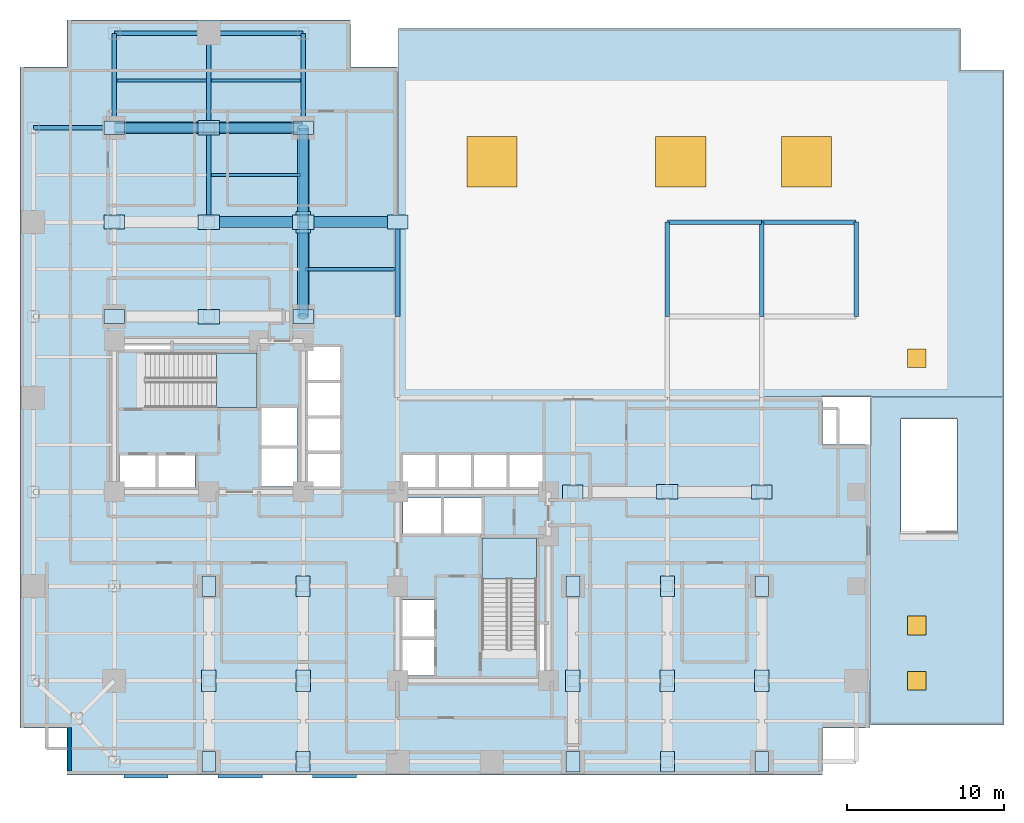
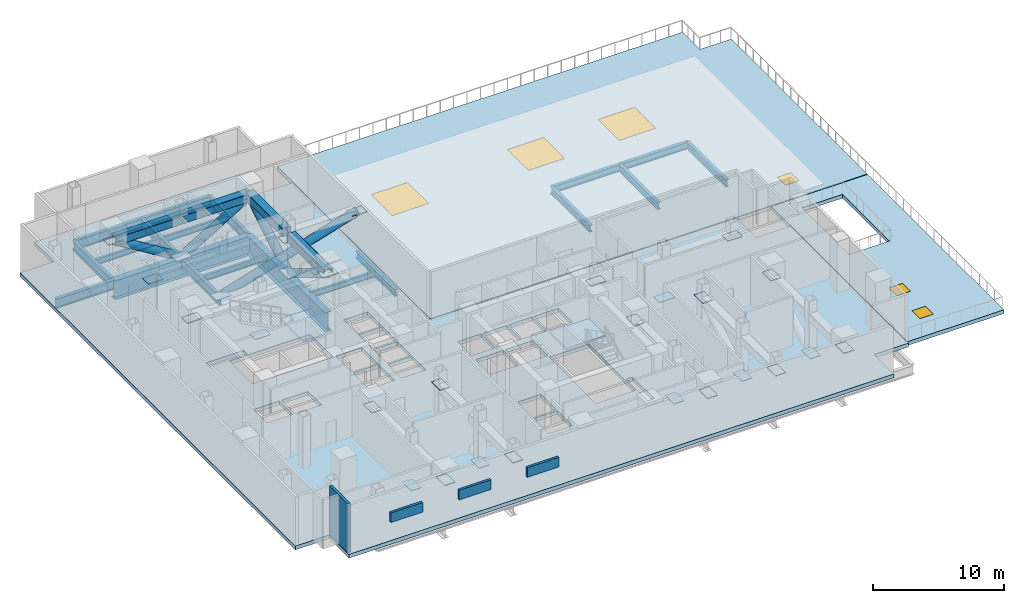
# One storey, part 3 of 8: 32 plates, 19 beams, 8 members, 6 windows, 5 slabs, 1 wall, 6 openings, 2 elements without a shape of their own.
"""IFC4 building model written with IfcOpenShell, lengths in metres."""

from ifc_helpers import new_model, si_unit, direction, frame, frame_2d, origin, origin_2d, place, context, subcontext, project, spatial, polyline, rectangle, hollow_rectangle, hollow_circle, i_section, outline, extrude, material, layer, layer_set, material_profile, profile_set, type_object, element, fill, aggregate, save


model = new_model("IFC4")

# Units and contexts
model_context = context("Model", 3, precision=1e-05, world=origin(), true_north=direction((0.0, 1.0)))
body_context = subcontext(model_context, "Body", "Model", "MODEL_VIEW")
ifc_project = project(units=[si_unit("LENGTHUNIT", "METRE"), si_unit("AREAUNIT", "SQUARE_METRE"), si_unit("VOLUMEUNIT", "CUBIC_METRE"), si_unit("PLANEANGLEUNIT", "RADIAN"), si_unit("MASSUNIT", "GRAM", prefix="KILO"), si_unit("THERMODYNAMICTEMPERATUREUNIT", "KELVIN"), si_unit("POWERUNIT", "WATT")], contexts=[model_context])

# Site, building, storey
site_placement = place(None, origin())
site = spatial("IfcSite", under=ifc_project, at=site_placement, CompositionType="ELEMENT")
building_placement = place(site_placement, origin())
building = spatial("IfcBuilding", under=site, at=building_placement, Name="Svarakhadi Broadcast Tower", CompositionType="ELEMENT")
storey_placement = place(building_placement, frame((0.0, 0.0, 27.60009765625)))
storey = spatial("IfcBuildingStorey", under=building, at=storey_placement, Name="L05", CompositionType="ELEMENT", Elevation=27.60009765625)

# Beams
ifc_material_1 = material(Name="Steel S355J2 (IS 2062 E350C)", Category="steel")
ifc_material_profile_1 = material_profile(ifc_material_1, i_section(OverallWidth=0.2099609375, OverallDepth=0.550048828125, WebThickness=0.010986328125, FlangeThickness=0.01708984375, FilletRadius=0.02392578125, at=origin_2d()), Name="NPB 550x210x106")
ifc_profile_set_1 = profile_set([ifc_material_profile_1], Name="Steel S355J2 (IS 2062 E350C)")
beam_type_1 = type_object("IfcBeamType", Name="Beam_NPB550", PredefinedType="BEAM", material=ifc_profile_set_1)
for number, where, z_axis, x_axis, name in (
    (1, (6.159912109375, 44.14990234375, -0.625), (1.0, 0.0, 0.0), (0.0, 1.0, 0.0), "L05 Secondary Composite Beam SB012"),
    (2, (12.159912109375, 38.14990234375, -0.625), (1.0, 0.0, 0.0), (0.0, 1.0, 0.0), "L05 Secondary Composite Beam SB017"),
    (3, (12.159912109375, 44.14990234375, -0.625), (1.0, 0.0, 0.0), (0.0, 1.0, 0.0), "L05 Secondary Composite Beam SB018"),
    (4, (18.159912109375, 32.14990234375, -0.625), (1.0, 0.0, 0.0), (0.0, 1.0, 0.0), "L05 Secondary Composite Beam SB022"),
):
    element("IfcBeam", number, at=place(storey_placement, frame(where, z_axis=z_axis, x_axis=x_axis)), inside=storey, type_object=beam_type_1, Name=name, PredefinedType="BEAM", context=body_context, shape_type="SweptSolid", body=[
        extrude(i_section(OverallWidth=0.2099609375, OverallDepth=0.550048828125, WebThickness=0.010986328125, FlangeThickness=0.01708984375, FilletRadius=0.02392578125, at=origin_2d()), origin(), (0.0, 0.0, 1.0), 5.68017578125),
    ])
ifc_material_profile_2 = material_profile(ifc_material_1, i_section(OverallWidth=0.300048828125, OverallDepth=0.64990234375, WebThickness=0.01611328125, FlangeThickness=0.031005859375, FilletRadius=0.027099609375, at=origin_2d()), Name="WPB 650x300x225")
ifc_profile_set_2 = profile_set([ifc_material_profile_2], Name="Steel S355J2 (IS 2062 E350C)")
beam_type_2 = type_object("IfcBeamType", Name="Girder_WPB650", PredefinedType="USERDEFINED", material=ifc_profile_set_2)
for number, where, z_axis, x_axis, name in (
    (5, (41.14990234375, 35.14990234375, -0.675048828125), (1.0, 0.0, 0.0), (0.0, 1.0, 0.0), "L05 Podium Terrace Girder PTG007"),
    (6, (47.14990234375, 35.14990234375, -0.675048828125), (1.0, 0.0, 0.0), (0.0, 1.0, 0.0), "L05 Podium Terrace Girder PTG008"),
    (7, (24.0, 29.14990234375, -0.675048828125), (0.0, 1.0, 0.0), (-1.0, 0.0, 0.0), "L05 Podium Terrace Girder PTG010"),
    (8, (41.14990234375, 29.14990234375, -0.675048828125), (0.0, 1.0, 0.0), (-1.0, 0.0, 0.0), "L05 Podium Terrace Girder PTG012"),
    (9, (47.14990234375, 29.14990234375, -0.675048828125), (0.0, 1.0, 0.0), (-1.0, 0.0, 0.0), "L05 Podium Terrace Girder PTG014"),
    (10, (53.14990234375, 29.14990234375, -0.675048828125), (0.0, 1.0, 0.0), (-1.0, 0.0, 0.0), "L05 Podium Terrace Girder PTG015"),
):
    element("IfcBeam", number, at=place(storey_placement, frame(where, z_axis=z_axis, x_axis=x_axis)), inside=storey, type_object=beam_type_2, Name=name, ObjectType="GIRDER", PredefinedType="USERDEFINED", context=body_context, shape_type="SweptSolid", body=[
        extrude(i_section(OverallWidth=0.300048828125, OverallDepth=0.64990234375, WebThickness=0.01611328125, FlangeThickness=0.031005859375, FilletRadius=0.027099609375, at=origin_2d()), origin(), (0.0, 0.0, 1.0), 6.0),
    ])
ifc_material_2 = material(Name="Steel S460ML (IS 2062 E450BR)", Category="steel")
ifc_material_profile_3 = material_profile(ifc_material_2, i_section(OverallWidth=0.300048828125, OverallDepth=0.89990234375, WebThickness=0.0185546875, FlangeThickness=0.034912109375, FilletRadius=0.030029296875, at=origin_2d()), Name="WPB 900x300x291")
ifc_profile_set_3 = profile_set([ifc_material_profile_3], Name="Steel S460ML (IS 2062 E450BR)")
beam_type_3 = type_object("IfcBeamType", Name="Girder_WPB900", PredefinedType="USERDEFINED", material=ifc_profile_set_3)
beam_placement = place(storey_placement, frame((0.85009765625, 41.14990234375, -0.800048828125), z_axis=(1.0, 0.0, 0.0), x_axis=(0.0, 1.0, 0.0)))
element("IfcBeam", 11, at=beam_placement, inside=storey, type_object=beam_type_3, Name="L05 Primary E-W Girder G043", ObjectType="GIRDER", PredefinedType="USERDEFINED", context=body_context, shape_type="SweptSolid", body=[
    extrude(i_section(OverallWidth=0.300048828125, OverallDepth=0.89990234375, WebThickness=0.0185546875, FlangeThickness=0.034912109375, FilletRadius=0.030029296875, at=origin_2d()), origin(), (0.0, 0.0, 1.0), 5.14990234375),
])
for number, where, z_axis, x_axis, name in (
    (12, (6.0, 47.14990234375, -0.800048828125), (1.0, 0.0, 0.0), (0.0, 1.0, 0.0), "L05 Primary E-W Girder G046"),
    (13, (12.0, 47.14990234375, -0.800048828125), (1.0, 0.0, 0.0), (0.0, 1.0, 0.0), "L05 Primary E-W Girder G047"),
    (14, (6.0, 41.14990234375, -0.800048828125), (0.0, 1.0, 0.0), (-1.0, 0.0, 0.0), "L05 Primary N-S Girder G060"),
    (15, (12.0, 35.14990234375, -0.800048828125), (0.0, 1.0, 0.0), (-1.0, 0.0, 0.0), "L05 Primary N-S Girder G065"),
    (16, (12.0, 41.14990234375, -0.800048828125), (0.0, 1.0, 0.0), (-1.0, 0.0, 0.0), "L05 Primary N-S Girder G066"),
    (17, (18.0, 41.14990234375, -0.800048828125), (0.0, 1.0, 0.0), (-1.0, 0.0, 0.0), "L05 Primary N-S Girder G073"),
):
    element("IfcBeam", number, at=place(storey_placement, frame(where, z_axis=z_axis, x_axis=x_axis)), inside=storey, type_object=beam_type_3, Name=name, ObjectType="GIRDER", PredefinedType="USERDEFINED", context=body_context, shape_type="SweptSolid", body=[
        extrude(i_section(OverallWidth=0.300048828125, OverallDepth=0.89990234375, WebThickness=0.0185546875, FlangeThickness=0.034912109375, FilletRadius=0.030029296875, at=origin_2d()), origin(), (0.0, 0.0, 1.0), 6.0),
    ])

# Members
ifc_material_profile_4 = material_profile(ifc_material_2, hollow_circle(Radius=0.35546875, WallThickness=0.034912109375, at=origin_2d()), Name="CHS 711x35")
ifc_profile_set_4 = profile_set([ifc_material_profile_4], Name="Steel S460ML (IS 2062 E450BR)")
member_type_1 = type_object("IfcMemberType", Name="Outrigger_Brace_OT01", PredefinedType="BRACE", material=ifc_profile_set_4)
member_1_placement = place(storey_placement, frame((24.0, 35.14990234375, 3.2998046875), z_axis=(-0.956724312402, 0.0, -0.29099585918), x_axis=(0.0, -1.0, 0.0)))
element("IfcMember", 18, at=member_1_placement, inside=storey, type_object=member_type_1, Name="L05 Podium Transfer Truss Diagonal TD-03B", PredefinedType="BRACE", context=body_context, shape_type="SweptSolid", body=[
    extrude(hollow_circle(Radius=0.35546875, WallThickness=0.034912109375, at=origin_2d()), origin(), (0.0, 0.0, 1.0), 12.542724609375),
])
for number, where, z_axis, x_axis, name in (
    (19, (6.0, 41.14990234375, 3.2998046875), (0.854342179237, 0.0, -0.519710920394), (0.0, 1.0, 0.0), "L05 Podium Transfer Truss Diagonal TD-04A"),
    (20, (18.0, 41.14990234375, 3.2998046875), (-0.854342179237, 0.0, -0.519710920394), (0.0, -1.0, 0.0), "L05 Podium Transfer Truss Diagonal TD-04B"),
    (21, (18.0, 29.14990234375, 3.2998046875), (0.0, 0.854342179237, -0.519710920394), (-1.0, 0.0, 0.0), "L05 Podium Transfer Truss Diagonal TD-06A"),
    (22, (18.0, 41.14990234375, 3.2998046875), (0.0, -0.854342179237, -0.519710920394), (1.0, 0.0, 0.0), "L05 Podium Transfer Truss Diagonal TD-06B"),
):
    element("IfcMember", number, at=place(storey_placement, frame(where, z_axis=z_axis, x_axis=x_axis)), inside=storey, type_object=member_type_1, Name=name, PredefinedType="BRACE", context=body_context, shape_type="SweptSolid", body=[
        extrude(hollow_circle(Radius=0.35546875, WallThickness=0.034912109375, at=origin_2d()), origin(), (0.0, 0.0, 1.0), 7.02294921875),
    ])

# Beams
ifc_material_profile_5 = material_profile(ifc_material_2, i_section(OverallWidth=0.550048828125, OverallDepth=1.800048828125, WebThickness=0.028076171875, FlangeThickness=0.044921875, at=origin_2d()), Name="PG 1800x550x45")
ifc_profile_set_5 = profile_set([ifc_material_profile_5], Name="Steel S460ML (IS 2062 E450BR)")
beam_type_4 = type_object("IfcBeamType", Name="Transfer_Girder_TG01", PredefinedType="USERDEFINED", material=ifc_profile_set_5)
for number, where, z_axis, x_axis, name in (
    (23, (6.0, 41.14990234375, -1.25), (1.0, 0.0, 0.0), (0.0, 1.0, 0.0), "L05 Studio Transfer Girder TG-01-04"),
    (24, (18.0, 29.14990234375, -1.25), (0.0, 1.0, 0.0), (-1.0, 0.0, 0.0), "L05 Studio Transfer Girder TG-01-06"),
):
    element("IfcBeam", number, at=place(storey_placement, frame(where, z_axis=z_axis, x_axis=x_axis)), inside=storey, type_object=beam_type_4, Name=name, ObjectType="GIRDER", PredefinedType="USERDEFINED", context=body_context, shape_type="SweptSolid", body=[
        extrude(i_section(OverallWidth=0.550048828125, OverallDepth=1.800048828125, WebThickness=0.028076171875, FlangeThickness=0.044921875, at=origin_2d()), origin(), (0.0, 0.0, 1.0), 12.0),
    ])

# Members
ifc_material_profile_6 = material_profile(ifc_material_2, hollow_rectangle(XDim=0.75, YDim=0.75, WallThickness=0.034912109375, InnerFilletRadius=0.034912109375, OuterFilletRadius=0.050048828125, at=origin_2d()), Name="BOX 750x750x35")
ifc_profile_set_6 = profile_set([ifc_material_profile_6], Name="Steel S460ML (IS 2062 E450BR)")
member_type_2 = type_object("IfcMemberType", Name="Transfer_Truss_Chord", PredefinedType="CHORD", material=ifc_profile_set_6)
member_2_placement = place(storey_placement, frame((6.0, 41.14990234375, 3.2998046875), z_axis=(1.0, 0.0, 0.0), x_axis=(0.0, 1.0, 0.0)))
element("IfcMember", 25, at=member_2_placement, inside=storey, type_object=member_type_2, Name="L05 Podium Transfer Truss Top Chord TC-04", PredefinedType="CHORD", context=body_context, shape_type="SweptSolid", body=[
    extrude(hollow_rectangle(XDim=0.75, YDim=0.75, WallThickness=0.034912109375, InnerFilletRadius=0.034912109375, OuterFilletRadius=0.050048828125, at=origin_2d()), origin(), (0.0, 0.0, 1.0), 12.0),
])
for number, where, z_axis, x_axis, name in (
    (26, (18.0, 29.14990234375, 3.2998046875), (0.0, 1.0, 0.0), (-1.0, 0.0, 0.0), "L05 Podium Transfer Truss Top Chord TC-06A"),
    (27, (18.0, 35.52490234375, 3.2998046875), (0.0, 1.0, 0.0), (-1.0, 0.0, 0.0), "L05 Podium Transfer Truss Top Chord TC-06B"),
):
    element("IfcMember", number, at=place(storey_placement, frame(where, z_axis=z_axis, x_axis=x_axis)), inside=storey, type_object=member_type_2, Name=name, PredefinedType="CHORD", context=body_context, shape_type="SweptSolid", body=[
        extrude(hollow_rectangle(XDim=0.75, YDim=0.75, WallThickness=0.034912109375, InnerFilletRadius=0.034912109375, OuterFilletRadius=0.050048828125, at=origin_2d()), origin(), (0.0, 0.0, 1.0), 5.625),
    ])

# Plates
ifc_material_3 = material(Name="Anodised Bronze Aluminium AA 6063-T6", Category="aluminium")
ifc_layer_1 = layer(ifc_material_3, 0.89990234375)
ifc_layer_set_1 = layer_set([ifc_layer_1], Name="Anodised Bronze Aluminium AA 6063-T6")
plate_type_1 = type_object("IfcPlateType", Name="Louvre_Bronze_LV01", PredefinedType="USERDEFINED", material=ifc_layer_set_1)
for number, where, z_axis, x_axis, name in (
    (28, (8.0, -0.080078125, 1.824951171875), (0.0, 0.0, 1.0), (1.0, 0.0, 0.0), "L05 Acoustic Monsoon Intake Louvre LV-01-1"),
    (29, (14.0, -0.080078125, 1.824951171875), (0.0, 0.0, 1.0), (1.0, 0.0, 0.0), "L05 Acoustic Monsoon Intake Louvre LV-01-2"),
    (30, (20.0, -0.080078125, 1.824951171875), (0.0, 0.0, 1.0), (1.0, 0.0, 0.0), "L05 Acoustic Monsoon Intake Louvre LV-01-3"),
):
    element("IfcPlate", number, at=place(storey_placement, frame(where, z_axis=z_axis, x_axis=x_axis)), inside=storey, type_object=plate_type_1, Name=name, ObjectType="LOUVRE", PredefinedType="USERDEFINED", context=body_context, shape_type="SweptSolid", body=[
        extrude(rectangle(XDim=2.800048828125, YDim=0.219970703125, at=origin_2d()), origin(), (0.0, 0.0, 1.0), 0.89990234375),
    ])
ifc_layer_2 = layer(ifc_material_2, 0.0419921875)
ifc_layer_set_2 = layer_set([ifc_layer_2], Name="Steel S460ML (IS 2062 E450BR)")
plate_type_2 = type_object("IfcPlateType", Name="Outrigger_Node_ON01", PredefinedType="SHEET", material=ifc_layer_set_2)
for number, where, z_axis, x_axis, name in (
    (31, (12.0, 0.85009765625, 3.27880859375), (0.0, 0.0, 1.0), (0.0, 1.0, 0.0), "L05 Brace End Connection Gusset Plate ON-01-E0001"),
    (32, (12.0, 12.0, 3.27880859375), (0.0, 0.0, 1.0), (0.0, 1.0, 0.0), "L05 Brace End Connection Gusset Plate ON-01-E0002"),
    (33, (6.0, 29.14990234375, 3.27880859375), (0.0, 0.0, 1.0), (1.0, 0.0, 0.0), "L05 Brace End Connection Gusset Plate ON-01-E0003"),
    (34, (18.0, 29.14990234375, 3.27880859375), (0.0, 0.0, 1.0), (1.0, 0.0, 0.0), "L05 Brace End Connection Gusset Plate ON-01-E0004"),
    (35, (6.0, 35.14990234375, 3.27880859375), (0.0, 0.0, 1.0), (1.0, 0.0, 0.0), "L05 Brace End Connection Gusset Plate ON-01-E0005"),
    (36, (24.0, 35.14990234375, 3.27880859375), (0.0, 0.0, 1.0), (1.0, 0.0, 0.0), "L05 Brace End Connection Gusset Plate ON-01-E0006"),
    (37, (6.0, 41.14990234375, 3.27880859375), (0.0, 0.0, 1.0), (1.0, 0.0, 0.0), "L05 Brace End Connection Gusset Plate ON-01-E0007"),
    (38, (18.0, 41.14990234375, 3.27880859375), (0.0, 0.0, 1.0), (1.0, 0.0, 0.0), "L05 Brace End Connection Gusset Plate ON-01-E0008"),
    (39, (18.0, 0.85009765625, 3.27880859375), (0.0, 0.0, 1.0), (0.0, 1.0, 0.0), "L05 Brace End Connection Gusset Plate ON-01-E0009"),
    (40, (18.0, 12.0, 3.27880859375), (0.0, 0.0, 1.0), (0.0, 1.0, 0.0), "L05 Brace End Connection Gusset Plate ON-01-E0010"),
    (41, (35.14990234375, 0.85009765625, 3.27880859375), (0.0, 0.0, 1.0), (0.0, 1.0, 0.0), "L05 Brace End Connection Gusset Plate ON-01-E0011"),
    (42, (35.14990234375, 12.0, 3.27880859375), (0.0, 0.0, 1.0), (0.0, 1.0, 0.0), "L05 Brace End Connection Gusset Plate ON-01-E0012"),
    (43, (41.14990234375, 0.85009765625, 3.27880859375), (0.0, 0.0, 1.0), (0.0, 1.0, 0.0), "L05 Brace End Connection Gusset Plate ON-01-E0013"),
    (44, (41.14990234375, 12.0, 3.27880859375), (0.0, 0.0, 1.0), (0.0, 1.0, 0.0), "L05 Brace End Connection Gusset Plate ON-01-E0014"),
    (45, (35.14990234375, 18.0, 3.27880859375), (0.0, 0.0, 1.0), (1.0, 0.0, 0.0), "L05 Brace End Connection Gusset Plate ON-01-E0015"),
    (46, (47.14990234375, 18.0, 3.27880859375), (0.0, 0.0, 1.0), (1.0, 0.0, 0.0), "L05 Brace End Connection Gusset Plate ON-01-E0016"),
    (47, (47.14990234375, 0.85009765625, 3.27880859375), (0.0, 0.0, 1.0), (0.0, 1.0, 0.0), "L05 Brace End Connection Gusset Plate ON-01-E0017"),
    (48, (47.14990234375, 12.0, 3.27880859375), (0.0, 0.0, 1.0), (0.0, 1.0, 0.0), "L05 Brace End Connection Gusset Plate ON-01-E0018"),
):
    element("IfcPlate", number, at=place(storey_placement, frame(where, z_axis=z_axis, x_axis=x_axis)), inside=storey, type_object=plate_type_2, Name=name, PredefinedType="SHEET", context=body_context, shape_type="SweptSolid", body=[
        extrude(rectangle(XDim=1.300048828125, YDim=0.8798828125, at=origin_2d()), origin(), (0.0, 0.0, 1.0), 0.0419921875),
    ])

# Slab
ifc_material_4 = material(Name="Concrete C45/55 (IS 456 M55 Marine)", Category="concrete")
ifc_layer_3 = layer(ifc_material_4, 0.35009765625)
ifc_layer_set_3 = layer_set([ifc_layer_3], Name="Concrete C45/55 (IS 456 M55 Marine)")
slab_type_1 = type_object("IfcSlabType", Name="Slab_Floor_350", PredefinedType="FLOOR", material=ifc_layer_set_3)
slab_1_placement = place(storey_placement, frame((0.0, 0.0, -0.35009765625)))
element("IfcSlab", 49, at=slab_1_placement, inside=storey, type_object=slab_type_1, Name="L05 Structural Floor Slab", PredefinedType="FLOOR", context=body_context, shape_type="SweptSolid", body=[
    extrude(outline(polyline([(3.0, 0.0), (51.0, 0.0), (51.0, 3.0), (54.0, 3.0), (54.0, 21.0), (51.0, 21.0), (51.0, 24.0), (24.0, 24.0), (24.0, 45.0), (21.0, 45.0), (21.0, 48.0), (3.0, 48.0), (3.0, 45.0), (0.0, 45.0), (0.0, 3.0), (3.0, 3.0), (3.0, 0.0)]), holes=[polyline([(7.97998046875, 23.360107421875), (15.080078125, 23.360107421875), (15.080078125, 26.840087890625), (7.97998046875, 26.840087890625), (7.97998046875, 23.360107421875)]), polyline([(32.840087890625, 7.97998046875), (32.840087890625, 15.080078125), (29.360107421875, 15.080078125), (29.360107421875, 7.97998046875), (32.840087890625, 7.97998046875)]), polyline([(6.340087890625, 18.2900390625), (8.610107421875, 18.2900390625), (8.610107421875, 20.330078125), (6.340087890625, 20.330078125), (6.340087890625, 18.2900390625)]), polyline([(8.7900390625, 18.2900390625), (11.1298828125, 18.2900390625), (11.1298828125, 20.330078125), (8.7900390625, 20.330078125), (8.7900390625, 18.2900390625)]), polyline([(24.2900390625, 6.340087890625), (26.330078125, 6.340087890625), (26.330078125, 8.610107421875), (24.2900390625, 8.610107421875), (24.2900390625, 6.340087890625)]), polyline([(24.2900390625, 8.7900390625), (26.330078125, 8.7900390625), (26.330078125, 11.1298828125), (24.2900390625, 11.1298828125), (24.2900390625, 8.7900390625)]), polyline([(6.340087890625, 26.989990234375), (9.610107421875, 26.989990234375), (9.610107421875, 27.530029296875), (6.340087890625, 27.530029296875), (6.340087890625, 26.989990234375)]), polyline([(32.989990234375, 6.340087890625), (33.530029296875, 6.340087890625), (33.530029296875, 9.610107421875), (32.989990234375, 9.610107421875), (32.989990234375, 6.340087890625)]), polyline([(15.340087890625, 18.340087890625), (17.610107421875, 18.340087890625), (17.610107421875, 20.760009765625), (15.340087890625, 20.760009765625), (15.340087890625, 18.340087890625)]), polyline([(15.340087890625, 20.93994140625), (17.610107421875, 20.93994140625), (17.610107421875, 23.360107421875), (15.340087890625, 23.360107421875), (15.340087890625, 20.93994140625)]), polyline([(24.340087890625, 15.340087890625), (26.760009765625, 15.340087890625), (26.760009765625, 17.610107421875), (24.340087890625, 17.610107421875), (24.340087890625, 15.340087890625)]), polyline([(26.93994140625, 15.340087890625), (29.360107421875, 15.340087890625), (29.360107421875, 17.610107421875), (26.93994140625, 17.610107421875), (26.93994140625, 15.340087890625)]), polyline([(18.239990234375, 18.340087890625), (20.360107421875, 18.340087890625), (20.360107421875, 20.429931640625), (18.239990234375, 20.429931640625), (18.239990234375, 18.340087890625)]), polyline([(18.239990234375, 20.610107421875), (20.360107421875, 20.610107421875), (20.360107421875, 22.679931640625), (18.239990234375, 22.679931640625), (18.239990234375, 20.610107421875)]), polyline([(18.239990234375, 22.860107421875), (20.360107421875, 22.860107421875), (20.360107421875, 24.929931640625), (18.239990234375, 24.929931640625), (18.239990234375, 22.860107421875)]), polyline([(18.239990234375, 25.110107421875), (20.360107421875, 25.110107421875), (20.360107421875, 27.2099609375), (18.239990234375, 27.2099609375), (18.239990234375, 25.110107421875)]), polyline([(24.340087890625, 18.239990234375), (26.429931640625, 18.239990234375), (26.429931640625, 20.360107421875), (24.340087890625, 20.360107421875), (24.340087890625, 18.239990234375)]), polyline([(26.610107421875, 18.239990234375), (28.679931640625, 18.239990234375), (28.679931640625, 20.360107421875), (26.610107421875, 20.360107421875), (26.610107421875, 18.239990234375)]), polyline([(28.860107421875, 18.239990234375), (30.929931640625, 18.239990234375), (30.929931640625, 20.360107421875), (28.860107421875, 20.360107421875), (28.860107421875, 18.239990234375)]), polyline([(31.110107421875, 18.239990234375), (33.2099609375, 18.239990234375), (33.2099609375, 20.360107421875), (31.110107421875, 20.360107421875), (31.110107421875, 18.239990234375)])]), origin(), (0.0, 0.0, 1.0), 0.35009765625),
])

# Slab, openings, windows
ifc_material_5 = material(Name="Concrete C40/50 (IS 456 M50)", Category="concrete")
ifc_layer_4 = layer(ifc_material_5, 0.35009765625)
ifc_layer_set_4 = layer_set([ifc_layer_4], Name="Concrete C40/50 (IS 456 M50)")
slab_type_2 = type_object("IfcSlabType", Name="Slab_PodiumTerr", PredefinedType="ROOF", material=ifc_layer_set_4)
slab_2_placement = place(storey_placement, frame((0.0, 0.0, -0.35009765625)))
slab_2 = element("IfcSlab", 50, at=slab_2_placement, inside=storey, type_object=slab_type_2, Name="L05 Waterfront Podium Roof Terrace Slab NE", PredefinedType="ROOF", context=body_context, shape_type="SweptSolid", body=[
    extrude(outline(polyline([(24.050048828125, 24.050048828125), (62.550048828125, 24.050048828125), (62.550048828125, 44.800048828125), (59.800048828125, 44.800048828125), (59.800048828125, 47.449951171875), (24.050048828125, 47.449951171875), (24.050048828125, 24.050048828125)])), origin(), (0.0, 0.0, 1.0), 0.35009765625),
])
opening_1_placement = place(slab_2_placement, frame((30.0, 39.0, -0.010009765625)))
opening_1 = element("IfcOpeningElement", 51, at=opening_1_placement, cuts=slab_2, Name="Opening SK-01", PredefinedType="OPENING", context=body_context, shape_type="SweptSolid", body=[
    extrude(rectangle(XDim=3.199951171875, YDim=3.199951171875, at=origin_2d()), origin(), (0.0, 0.0, 1.0), 0.3701171875),
])
opening_2_placement = place(slab_2_placement, frame((42.0, 39.0, -0.010009765625)))
opening_2 = element("IfcOpeningElement", 52, at=opening_2_placement, cuts=slab_2, Name="Opening SK-01", PredefinedType="OPENING", context=body_context, shape_type="SweptSolid", body=[
    extrude(rectangle(XDim=3.199951171875, YDim=3.199951171875, at=origin_2d()), origin(), (0.0, 0.0, 1.0), 0.3701171875),
])
opening_3_placement = place(slab_2_placement, frame((50.0, 39.0, -0.010009765625)))
opening_3 = element("IfcOpeningElement", 53, at=opening_3_placement, cuts=slab_2, Name="Opening SK-01", PredefinedType="OPENING", context=body_context, shape_type="SweptSolid", body=[
    extrude(rectangle(XDim=3.199951171875, YDim=3.199951171875, at=origin_2d()), origin(), (0.0, 0.0, 1.0), 0.3701171875),
])
opening_4_placement = place(slab_2_placement, frame((57.0, 26.5, -0.010009765625)))
opening_4 = element("IfcOpeningElement", 54, at=opening_4_placement, cuts=slab_2, Name="Opening HT-01", PredefinedType="OPENING", context=body_context, shape_type="SweptSolid", body=[
    extrude(rectangle(XDim=1.199951171875, YDim=1.199951171875, at=origin_2d()), origin(), (0.0, 0.0, 1.0), 0.3701171875),
])
ifc_material_6 = material(Name="Double Low-E Laminated Acoustic Glass IGU 36 mm", Category="glass")
window_type_1 = type_object("IfcWindowType", Name="Hatch_Roof_HT01", PartitioningType="SINGLE_PANEL", PredefinedType="SKYLIGHT", material=ifc_material_6)
window_1_placement = place(slab_2_placement, frame((57.0, 26.5, 0.300048828125)))
window_1 = element("IfcWindow", 55, at=window_1_placement, inside=storey, type_object=window_type_1, Name="L05 Podium Roof Maintenance Access Hatch HT-01-03", OverallHeight=1.199951171875, OverallWidth=1.199951171875, PartitioningType="SINGLE_PANEL", PredefinedType="SKYLIGHT", context=body_context, shape_type="SweptSolid", body=[
    extrude(rectangle(XDim=1.199951171875, YDim=1.199951171875, at=origin_2d()), origin(), (0.0, 0.0, 1.0), 0.050048828125),
])
fill(opening_4, window_1)
window_type_2 = type_object("IfcWindowType", Name="Sky_Pod_SK01", PartitioningType="SINGLE_PANEL", PredefinedType="SKYLIGHT", material=ifc_material_6)
window_2_placement = place(slab_2_placement, frame((30.0, 39.0, 0.300048828125)))
window_2 = element("IfcWindow", 56, at=window_2_placement, inside=storey, type_object=window_type_2, Name="L05 Broadcast Concourse Roof Skylight SK-01-1", OverallHeight=3.199951171875, OverallWidth=3.199951171875, PartitioningType="SINGLE_PANEL", PredefinedType="SKYLIGHT", context=body_context, shape_type="SweptSolid", body=[
    extrude(rectangle(XDim=3.199951171875, YDim=3.199951171875, at=origin_2d()), origin(), (0.0, 0.0, 1.0), 0.050048828125),
])
fill(opening_1, window_2)
window_3_placement = place(slab_2_placement, frame((42.0, 39.0, 0.300048828125)))
window_3 = element("IfcWindow", 57, at=window_3_placement, inside=storey, type_object=window_type_2, Name="L05 Broadcast Concourse Roof Skylight SK-01-2", OverallHeight=3.199951171875, OverallWidth=3.199951171875, PartitioningType="SINGLE_PANEL", PredefinedType="SKYLIGHT", context=body_context, shape_type="SweptSolid", body=[
    extrude(rectangle(XDim=3.199951171875, YDim=3.199951171875, at=origin_2d()), origin(), (0.0, 0.0, 1.0), 0.050048828125),
])
fill(opening_2, window_3)
window_4_placement = place(slab_2_placement, frame((50.0, 39.0, 0.300048828125)))
window_4 = element("IfcWindow", 58, at=window_4_placement, inside=storey, type_object=window_type_2, Name="L05 Broadcast Concourse Roof Skylight SK-01-3", OverallHeight=3.199951171875, OverallWidth=3.199951171875, PartitioningType="SINGLE_PANEL", PredefinedType="SKYLIGHT", context=body_context, shape_type="SweptSolid", body=[
    extrude(rectangle(XDim=3.199951171875, YDim=3.199951171875, at=origin_2d()), origin(), (0.0, 0.0, 1.0), 0.050048828125),
])
fill(opening_3, window_4)

slab_3_placement = place(storey_placement, frame((0.0, 0.0, -0.35009765625)))
slab_3 = element("IfcSlab", 59, at=slab_3_placement, inside=storey, type_object=slab_type_2, Name="L05 Waterfront Podium Roof Terrace Slab SE", PredefinedType="ROOF", context=body_context, shape_type="SweptSolid", body=[
    extrude(outline(polyline([(54.050048828125, 3.199951171875), (62.550048828125, 3.199951171875), (62.550048828125, 24.0), (54.050048828125, 24.0), (54.050048828125, 3.199951171875)]), holes=[polyline([(59.56005859375, 15.5), (59.56005859375, 22.64990234375), (56.0, 22.64990234375), (56.0, 15.5), (59.56005859375, 15.5)])]), origin(), (0.0, 0.0, 1.0), 0.35009765625),
])
opening_5_placement = place(slab_3_placement, frame((57.0, 6.0, -0.010009765625)))
opening_5 = element("IfcOpeningElement", 60, at=opening_5_placement, cuts=slab_3, Name="Opening HT-01", PredefinedType="OPENING", context=body_context, shape_type="SweptSolid", body=[
    extrude(rectangle(XDim=1.199951171875, YDim=1.199951171875, at=origin_2d()), origin(), (0.0, 0.0, 1.0), 0.3701171875),
])
opening_6_placement = place(slab_3_placement, frame((57.0, 9.5, -0.010009765625)))
opening_6 = element("IfcOpeningElement", 61, at=opening_6_placement, cuts=slab_3, Name="Opening HT-01", PredefinedType="OPENING", context=body_context, shape_type="SweptSolid", body=[
    extrude(rectangle(XDim=1.199951171875, YDim=1.199951171875, at=origin_2d()), origin(), (0.0, 0.0, 1.0), 0.3701171875),
])
window_5_placement = place(slab_3_placement, frame((57.0, 6.0, 0.300048828125)))
window_5 = element("IfcWindow", 62, at=window_5_placement, inside=storey, type_object=window_type_1, Name="L05 Podium Roof Maintenance Access Hatch HT-01-01", OverallHeight=1.199951171875, OverallWidth=1.199951171875, PartitioningType="SINGLE_PANEL", PredefinedType="SKYLIGHT", context=body_context, shape_type="SweptSolid", body=[
    extrude(rectangle(XDim=1.199951171875, YDim=1.199951171875, at=origin_2d()), origin(), (0.0, 0.0, 1.0), 0.050048828125),
])
fill(opening_5, window_5)
window_6_placement = place(slab_3_placement, frame((57.0, 9.5, 0.300048828125)))
window_6 = element("IfcWindow", 63, at=window_6_placement, inside=storey, type_object=window_type_1, Name="L05 Podium Roof Maintenance Access Hatch HT-01-02", OverallHeight=1.199951171875, OverallWidth=1.199951171875, PartitioningType="SINGLE_PANEL", PredefinedType="SKYLIGHT", context=body_context, shape_type="SweptSolid", body=[
    extrude(rectangle(XDim=1.199951171875, YDim=1.199951171875, at=origin_2d()), origin(), (0.0, 0.0, 1.0), 0.050048828125),
])
fill(opening_6, window_6)

# Stair, slab
stair_type = type_object("IfcStairType", Name="Stair_Exit_Core", PredefinedType="HALF_TURN_STAIR", material=ifc_material_5)
stair_1_placement = place(storey_placement, origin())
stair_1 = element("IfcStair", 64, at=stair_1_placement, inside=storey, type_object=stair_type, Name="L05 West Core Protected Exit Stair ST-01", PredefinedType="HALF_TURN_STAIR")
ifc_layer_5 = layer(ifc_material_5, 0.199951171875)
ifc_layer_set_5 = layer_set([ifc_layer_5], Name="Concrete C40/50 (IS 456 M50)")
slab_type_3 = type_object("IfcSlabType", Name="Slab_Stair_Land", PredefinedType="LANDING", material=ifc_layer_set_5)
slab_4_placement = place(storey_placement, frame((0.0, 0.0, 2.199951171875)))
slab_4 = element("IfcSlab", 65, at=slab_4_placement, type_object=slab_type_3, Name="ST-01 landing 1", PredefinedType="LANDING", context=body_context, shape_type="SweptSolid", body=[
    extrude(outline(polyline([(12.47998046875, 23.360107421875), (15.080078125, 23.360107421875), (15.080078125, 26.840087890625), (12.47998046875, 26.840087890625), (12.47998046875, 23.360107421875)])), origin(), (0.0, 0.0, 1.0), 0.199951171875),
])
aggregate(stair_1, [slab_4])

stair_2_placement = place(storey_placement, origin())
stair_2 = element("IfcStair", 66, at=stair_2_placement, inside=storey, type_object=stair_type, Name="L05 East Core Protected Exit Stair ST-02", PredefinedType="HALF_TURN_STAIR")
slab_5_placement = place(storey_placement, frame((0.0, 0.0, 2.199951171875)))
slab_5 = element("IfcSlab", 67, at=slab_5_placement, type_object=slab_type_3, Name="ST-02 landing 1", PredefinedType="LANDING", context=body_context, shape_type="SweptSolid", body=[
    extrude(outline(polyline([(32.840087890625, 12.47998046875), (32.840087890625, 15.080078125), (29.360107421875, 15.080078125), (29.360107421875, 12.47998046875), (32.840087890625, 12.47998046875)])), origin(), (0.0, 0.0, 1.0), 0.199951171875),
])
aggregate(stair_2, [slab_5])

# Plates
ifc_layer_6 = layer(ifc_material_2, 0.044921875)
ifc_layer_set_6 = layer_set([ifc_layer_6], Name="Steel S460ML (IS 2062 E450BR)")
plate_type_3 = type_object("IfcPlateType", Name="Transfer_Node_TN01", PredefinedType="SHEET", material=ifc_layer_set_6)
for number, where, z_axis, x_axis, name in (
    (68, (12.0, 6.0, -0.35009765625), (0.0, 0.0, 1.0), (0.0, 1.0, 0.0), "L05 Studio Transfer Truss Node Gusset Plate TN-01-01"),
    (69, (12.0, 29.14990234375, -0.35009765625), (0.0, 0.0, 1.0), (1.0, 0.0, 0.0), "L05 Studio Transfer Truss Node Gusset Plate TN-01-02"),
    (70, (12.0, 35.14990234375, -0.35009765625), (0.0, 0.0, 1.0), (1.0, 0.0, 0.0), "L05 Studio Transfer Truss Node Gusset Plate TN-01-03"),
    (71, (12.0, 41.14990234375, -0.35009765625), (0.0, 0.0, 1.0), (1.0, 0.0, 0.0), "L05 Studio Transfer Truss Node Gusset Plate TN-01-04"),
    (72, (18.0, 6.0, -0.35009765625), (0.0, 0.0, 1.0), (0.0, 1.0, 0.0), "L05 Studio Transfer Truss Node Gusset Plate TN-01-05"),
    (73, (18.0, 35.14990234375, 2.8798828125), (0.0, 0.0, 1.0), (1.0, 0.0, 0.0), "L05 Studio Transfer Chord Crossing Gusset Plate TN-01-X06"),
    (74, (18.0, 35.14990234375, -0.35009765625), (0.0, 0.0, 1.0), (0.0, 1.0, 0.0), "L05 Studio Transfer Truss Node Gusset Plate TN-01-06"),
    (75, (35.14990234375, 6.0, -0.35009765625), (0.0, 0.0, 1.0), (0.0, 1.0, 0.0), "L05 Studio Transfer Truss Node Gusset Plate TN-01-07"),
    (76, (41.14990234375, 6.0, -0.35009765625), (0.0, 0.0, 1.0), (0.0, 1.0, 0.0), "L05 Studio Transfer Truss Node Gusset Plate TN-01-08"),
    (77, (41.14990234375, 18.0, -0.35009765625), (0.0, 0.0, 1.0), (1.0, 0.0, 0.0), "L05 Studio Transfer Truss Node Gusset Plate TN-01-09"),
    (78, (47.14990234375, 6.0, -0.35009765625), (0.0, 0.0, 1.0), (0.0, 1.0, 0.0), "L05 Studio Transfer Truss Node Gusset Plate TN-01-10"),
):
    element("IfcPlate", number, at=place(storey_placement, frame(where, z_axis=z_axis, x_axis=x_axis)), inside=storey, type_object=plate_type_3, Name=name, PredefinedType="SHEET", context=body_context, shape_type="SweptSolid", body=[
        extrude(rectangle(XDim=1.35009765625, YDim=0.919921875, at=origin_2d()), origin(), (0.0, 0.0, 1.0), 0.044921875),
    ])

# Wall
ifc_layer_7 = layer(ifc_material_5, 0.239990234375)
ifc_layer_set_7 = layer_set([ifc_layer_7], Name="Concrete C40/50 (IS 456 M50)")
wall_type = type_object("IfcWallType", Name="Wall_Ext_240", PredefinedType="SOLIDWALL", material=ifc_layer_set_7)
wall_placement = place(storey_placement, frame((3.14990234375, 0.2548828125, 0.0), z_axis=(0.0, 0.0, 1.0), x_axis=(0.0, 1.0, 0.0)))
element("IfcWall", 79, at=wall_placement, inside=storey, type_object=wall_type, Name="L05 Perimeter Bronze Spandrel Closure Wall 14", PredefinedType="SOLIDWALL", context=body_context, shape_type="SweptSolid", body=[
    extrude(rectangle(XDim=2.775146484375, YDim=0.239990234375, at=frame_2d((1.3876953125, 0.0))), origin(), (0.0, 0.0, 1.0), 4.5498046875),
])

save(model, "model.ifc")
